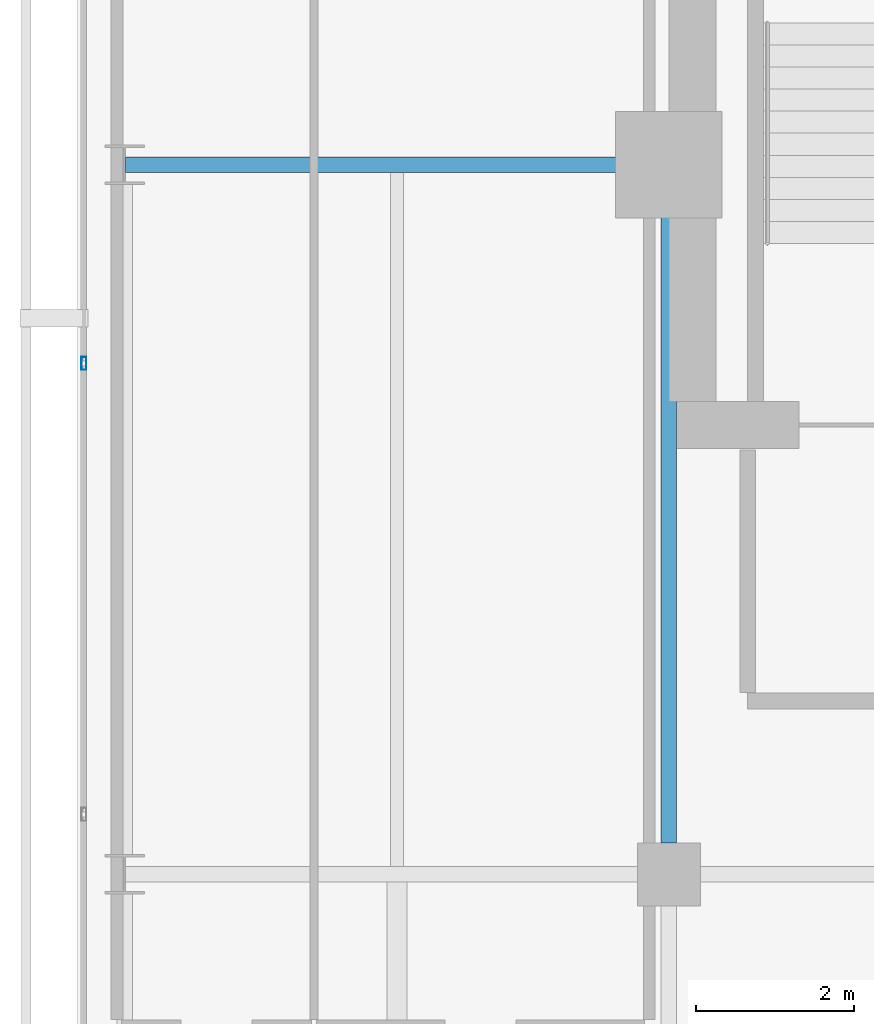
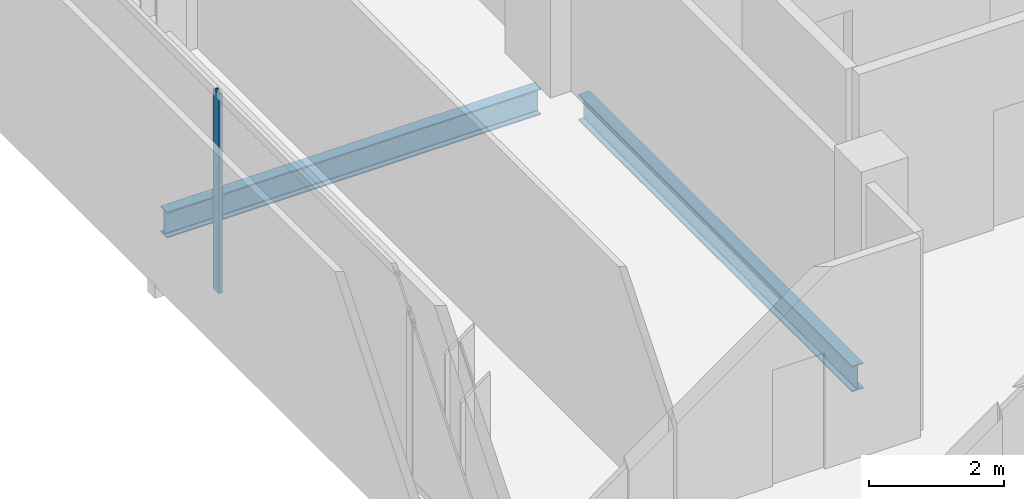
# One storey, part 9 of 24: 2 beams, 1 member, 1 element without a shape of its own.
"""IFC4 building model written with IfcOpenShell, lengths in metres."""

from ifc_helpers import new_model, si_unit, direction, frame, origin, origin_2d, place, context, subcontext, project, spatial, hollow_rectangle, i_section, extrude, material, layer, layer_set, material_profile, profile_set, type_object, element, aggregate, save


model = new_model("IFC4")

# Units and contexts
model_context = context("Model", 3, precision=1e-05, world=origin(), true_north=direction((0.0, 1.0)))
body_context = subcontext(model_context, "Body", "Model", "MODEL_VIEW")
ifc_project = project(units=[si_unit("LENGTHUNIT", "METRE"), si_unit("AREAUNIT", "SQUARE_METRE"), si_unit("VOLUMEUNIT", "CUBIC_METRE"), si_unit("PLANEANGLEUNIT", "RADIAN"), si_unit("MASSUNIT", "GRAM", prefix="KILO")], contexts=[model_context])

# Site, building, storey
site_placement = place(None, origin())
site = spatial("IfcSite", under=ifc_project, at=site_placement, CompositionType="ELEMENT")
building_placement = place(site_placement, origin())
building = spatial("IfcBuilding", under=site, at=building_placement, Name="Maruvema Waterfront Hotel and Observation Tower", CompositionType="ELEMENT")
storey_placement = place(building_placement, frame((0.0, 0.0, 333.550048828125)))
storey = spatial("IfcBuildingStorey", under=building, at=storey_placement, Name="L82", CompositionType="ELEMENT", Elevation=333.550048828125)

# Curtain wall, member
ifc_material_1 = material(Name="Anodised bronze aluminium and solar-control low-E IGU", Category="aluminium")
ifc_layer = layer(ifc_material_1, 0.159912109375, Name="Zone 4 Sky Residence Inner Curtain Wall System CW-05")
ifc_layer_set = layer_set([ifc_layer], Name="Anodised bronze aluminium and solar-control low-E IGU")
curtain_wall_type = type_object("IfcCurtainWallType", Name="Zone 4 Sky Residence Inner Curtain Wall System CW-05", PredefinedType="USERDEFINED", material=ifc_layer_set)
curtain_wall_placement = place(storey_placement, origin())
curtain_wall = element("IfcCurtainWall", 1, at=curtain_wall_placement, inside=storey, type_object=curtain_wall_type, Name="L82 Curtain Wall CW-L82-W", ObjectType="UNITISED CURTAIN WALL", PredefinedType="USERDEFINED")
ifc_material_2 = material(Name="Anodised architectural bronze aluminium", Category="aluminium")
ifc_material_profile_1 = material_profile(ifc_material_2, hollow_rectangle(XDim=0.06494140625, YDim=0.1650390625, WallThickness=0.00390625, at=origin_2d()), Name="ALU-M65x165")
ifc_profile_set_1 = profile_set([ifc_material_profile_1], Name="Anodised architectural bronze aluminium")
member_type = type_object("IfcMemberType", Name="Curtain Wall Primary Mullion ALU-M65x165", PredefinedType="MULLION", material=ifc_profile_set_1)
member_placement = place(storey_placement, frame((17.780029296875, 42.47998046875, 0.0), z_axis=(0.0, 0.0, 1.0), x_axis=(1.0, 0.0, 0.0)))
member = element("IfcMember", 2, at=member_placement, type_object=member_type, Name="CW-05 mullion 2", PredefinedType="MULLION", context=body_context, shape_type="SweptSolid", body=[
    extrude(hollow_rectangle(XDim=0.06494140625, YDim=0.1650390625, WallThickness=0.00390625, at=origin_2d()), origin(), (0.0, 0.0, 1.0), 3.60986328125),
])
aggregate(curtain_wall, [member])

# Beams
ifc_material_3 = material(Name="Steel ASTM A572 Grade 50", Category="steel")
ifc_material_profile_2 = material_profile(ifc_material_3, i_section(OverallWidth=0.194091796875, OverallDepth=0.468994140625, WebThickness=0.0126953125, FlangeThickness=0.0205078125, FilletRadius=0.014892578125, at=origin_2d()), Name="W460x106.0")
ifc_profile_set_2 = profile_set([ifc_material_profile_2], Name="Steel ASTM A572 Grade 50")
beam_type = type_object("IfcBeamType", Name="Primary Floor Girder W460x106.0", PredefinedType="BEAM", material=ifc_profile_set_2)
beam_1_placement = place(storey_placement, frame((18.31103515625, 45.0, -0.474609375), z_axis=(1.0, 0.0, 0.0), x_axis=(0.0, 1.0, 0.0)))
element("IfcBeam", 3, at=beam_1_placement, inside=storey, type_object=beam_type, Name="L82 Floor Girder EW-15", PredefinedType="BEAM", context=body_context, shape_type="SweptSolid", body=[
    extrude(i_section(OverallWidth=0.194091796875, OverallDepth=0.468994140625, WebThickness=0.0126953125, FlangeThickness=0.0205078125, FilletRadius=0.014892578125, at=origin_2d()), origin(), (0.0, 0.0, 1.0), 6.388916015625),
])
beam_2_placement = place(storey_placement, frame((25.199951171875, 36.39990234375, -0.474609375), z_axis=(0.0, 1.0, 0.0), x_axis=(-1.0, 0.0, 0.0)))
element("IfcBeam", 4, at=beam_2_placement, inside=storey, type_object=beam_type, Name="L82 Floor Girder NS-06", PredefinedType="BEAM", context=body_context, shape_type="SweptSolid", body=[
    extrude(i_section(OverallWidth=0.194091796875, OverallDepth=0.468994140625, WebThickness=0.0126953125, FlangeThickness=0.0205078125, FilletRadius=0.014892578125, at=origin_2d()), origin(), (0.0, 0.0, 1.0), 8.10009765625),
])

save(model, "model.ifc")
